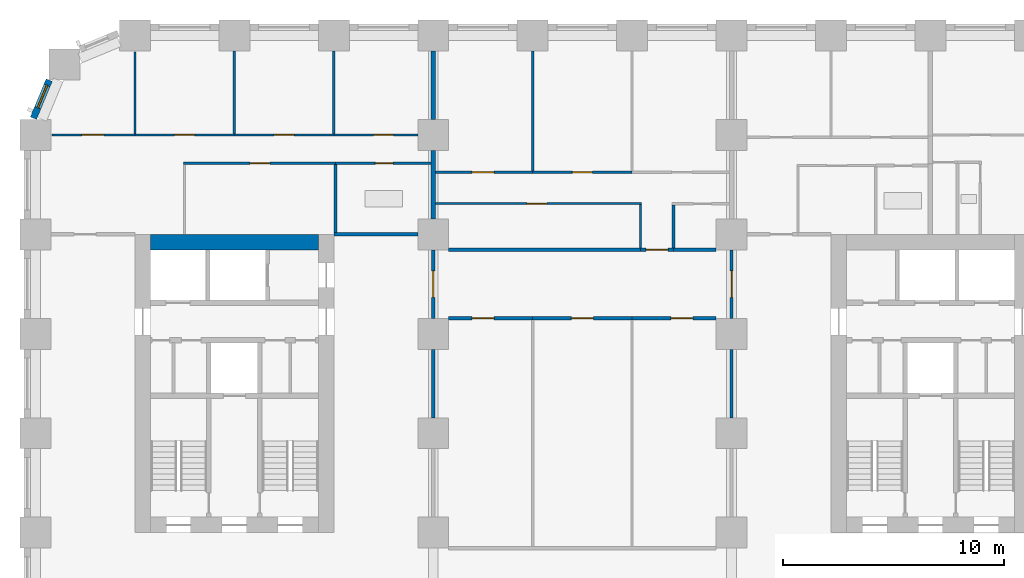
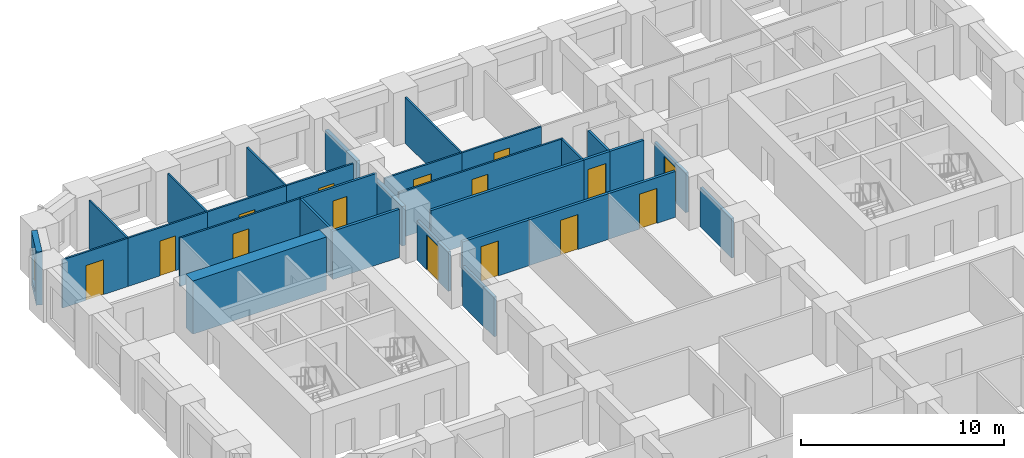
# One storey, part 7 of 13: 31 walls, 15 doors, 1 window, 16 openings.
"""IFC4 building model written with IfcOpenShell, lengths in metres."""

from ifc_helpers import new_model, si_unit, direction, frame, frame_2d, origin, place, context, subcontext, project, spatial, rectangle, extrude, material, layer, layer_set, type_object, element, fill, save


model = new_model("IFC4")

# Units and contexts
model_context = context("Model", 3, precision=1e-05, world=origin(), true_north=direction((0.0, 1.0)))
body_context = subcontext(model_context, "Body", "Model", "MODEL_VIEW")
ifc_project = project(units=[si_unit("LENGTHUNIT", "METRE"), si_unit("AREAUNIT", "SQUARE_METRE"), si_unit("VOLUMEUNIT", "CUBIC_METRE"), si_unit("PLANEANGLEUNIT", "RADIAN"), si_unit("MASSUNIT", "GRAM", prefix="KILO")], contexts=[model_context])

# Site, building, storey
site_placement = place(None, origin())
site = spatial("IfcSite", under=ifc_project, at=site_placement, CompositionType="ELEMENT")
building_placement = place(site_placement, origin())
building = spatial("IfcBuilding", under=site, at=building_placement, Name="Girih Gate Residences", CompositionType="ELEMENT")
storey_placement = place(building_placement, frame((0.0, 0.0, 40.0)))
storey = spatial("IfcBuildingStorey", under=building, at=storey_placement, Name="L09", CompositionType="ELEMENT", Elevation=40.0)

# Walls
ifc_material_1 = material(Name="Gypsum board on steel studs", Category="steel")
ifc_layer_1 = layer(ifc_material_1, 0.14990234375)
ifc_layer_set_1 = layer_set([ifc_layer_1], Name="Compartment wall 150 mm")
wall_type_1 = type_object("IfcWallType", Name="Compartment wall 150 mm", PredefinedType="PARTITIONING", material=ifc_layer_set_1)
wall_1_placement = place(storey_placement, frame((13.5107421875, 40.5, 0.0), z_axis=(0.0, 0.0, 1.0), x_axis=(1.0, 0.0, 0.0)))
element("IfcWall", 1, at=wall_1_placement, inside=storey, type_object=wall_type_1, Name="L09 partition", PredefinedType="PARTITIONING", context=body_context, shape_type="SweptSolid", body=[
    extrude(rectangle(XDim=3.789306640625, YDim=0.14990234375, at=frame_2d((1.89453125, 0.0))), origin(), (0.0, 0.0, 1.0), 2.89990234375),
])
wall_2_placement = place(storey_placement, frame((28.875, 39.800048828125, 0.0), z_axis=(0.0, 0.0, 1.0), x_axis=(1.0, 0.0, 0.0)))
element("IfcWall", 2, at=wall_2_placement, inside=storey, type_object=wall_type_1, Name="L09 partition", PredefinedType="PARTITIONING", context=body_context, shape_type="SweptSolid", body=[
    extrude(rectangle(XDim=1.925048828125, YDim=0.14990234375, at=frame_2d((0.96240234375, 0.0))), origin(), (0.0, 0.0, 1.0), 2.75),
])

# Wall, opening, door
wall_3_placement = place(storey_placement, frame((27.375, 39.800048828125, 0.0), z_axis=(0.0, 0.0, 1.0), x_axis=(1.0, 0.0, 0.0)))
wall_3 = element("IfcWall", 3, at=wall_3_placement, inside=storey, type_object=wall_type_1, Name="L09 partition", PredefinedType="PARTITIONING", context=body_context, shape_type="SweptSolid", body=[
    extrude(rectangle(XDim=1.5, YDim=0.14990234375, at=frame_2d((0.75, 0.0))), origin(), (0.0, 0.0, 1.0), 2.75),
])
opening_1_placement = place(wall_3_placement, frame((0.25, 0.0, 0.0)))
opening_1 = element("IfcOpeningElement", 4, at=opening_1_placement, cuts=wall_3, Name="Opening A09-043", PredefinedType="OPENING", context=body_context, shape_type="SweptSolid", body=[
    extrude(rectangle(XDim=1.0, YDim=2.10009765625, at=frame_2d((0.5, 1.050048828125))), frame((0.0, 0.0849609375, 0.0), z_axis=(0.0, -1.0, 0.0), x_axis=(1.0, 0.0, 0.0)), (0.0, 0.0, 1.0), 0.169921875),
])
ifc_material_2 = material(Name="Timber, fire-rated core", Category="wood")
door_type_1 = type_object("IfcDoorType", Name="Flat entrance door 1000x2100 FD30S", OperationType="NOTDEFINED", PredefinedType="DOOR", material=ifc_material_2)
door_1_placement = place(opening_1_placement, origin())
door_1 = element("IfcDoor", 5, at=door_1_placement, inside=storey, type_object=door_type_1, Name="Door A09-043", OperationType="SINGLE_SWING_RIGHT", OverallHeight=2.10009765625, OverallWidth=1.0, PredefinedType="DOOR", context=body_context, shape_type="SweptSolid", body=[
    extrude(rectangle(XDim=1.0, YDim=2.10009765625, at=frame_2d((0.5, 1.050048828125))), frame((0.0, 0.02490234375, 0.0), z_axis=(0.0, -1.0, 0.0), x_axis=(1.0, 0.0, 0.0)), (0.0, 0.0, 1.0), 0.050048828125),
])
fill(opening_1, door_1)

# Wall
wall_4_placement = place(storey_placement, frame((18.699951171875, 39.800048828125, 0.0), z_axis=(0.0, 0.0, 1.0), x_axis=(1.0, 0.0, 0.0)))
element("IfcWall", 6, at=wall_4_placement, inside=storey, type_object=wall_type_1, Name="L09 partition", PredefinedType="PARTITIONING", context=body_context, shape_type="SweptSolid", body=[
    extrude(rectangle(XDim=8.675048828125, YDim=0.14990234375, at=frame_2d((4.33740234375, 0.0))), origin(), (0.0, 0.0, 1.0), 2.75),
])

# Wall, opening, door
wall_5_placement = place(storey_placement, frame((22.5, 36.699951171875, 0.0), z_axis=(0.0, 0.0, 1.0), x_axis=(-1.0, 0.0, 0.0)))
wall_5 = element("IfcWall", 7, at=wall_5_placement, inside=storey, type_object=wall_type_1, Name="L09 partition", PredefinedType="PARTITIONING", context=body_context, shape_type="SweptSolid", body=[
    extrude(rectangle(XDim=3.800048828125, YDim=0.14990234375, at=frame_2d((1.89990234375, 0.0))), origin(), (0.0, 0.0, 1.0), 2.75),
])
opening_2_placement = place(wall_5_placement, frame((1.75, 0.0, 0.0)))
opening_2 = element("IfcOpeningElement", 8, at=opening_2_placement, cuts=wall_5, Name="Opening A09-044", PredefinedType="OPENING", context=body_context, shape_type="SweptSolid", body=[
    extrude(rectangle(XDim=1.0, YDim=2.10009765625, at=frame_2d((0.5, 1.050048828125))), frame((0.0, 0.0849609375, 0.0), z_axis=(0.0, -1.0, 0.0), x_axis=(1.0, 0.0, 0.0)), (0.0, 0.0, 1.0), 0.169921875),
])
door_type_2 = type_object("IfcDoorType", Name="Amenity room door 1000x2100 FD30S", OperationType="NOTDEFINED", PredefinedType="DOOR", material=ifc_material_2)
door_2_placement = place(opening_2_placement, origin())
door_2 = element("IfcDoor", 9, at=door_2_placement, inside=storey, type_object=door_type_2, Name="Door A09-044", OperationType="SINGLE_SWING_RIGHT", OverallHeight=2.10009765625, OverallWidth=1.0, PredefinedType="DOOR", context=body_context, shape_type="SweptSolid", body=[
    extrude(rectangle(XDim=1.0, YDim=2.10009765625, at=frame_2d((0.5, 1.050048828125))), frame((0.0, 0.02490234375, 0.0), z_axis=(0.0, -1.0, 0.0), x_axis=(1.0, 0.0, 0.0)), (0.0, 0.0, 1.0), 0.050048828125),
])
fill(opening_2, door_2)

wall_6_placement = place(storey_placement, frame((27.0, 36.699951171875, 0.0), z_axis=(0.0, 0.0, 1.0), x_axis=(-1.0, 0.0, 0.0)))
wall_6 = element("IfcWall", 10, at=wall_6_placement, inside=storey, type_object=wall_type_1, Name="L09 partition", PredefinedType="PARTITIONING", context=body_context, shape_type="SweptSolid", body=[
    extrude(rectangle(XDim=4.5, YDim=0.14990234375, at=frame_2d((2.25, 0.0))), origin(), (0.0, 0.0, 1.0), 2.75),
])
opening_3_placement = place(wall_6_placement, frame((1.75, 0.0, 0.0)))
opening_3 = element("IfcOpeningElement", 11, at=opening_3_placement, cuts=wall_6, Name="Opening A09-045", PredefinedType="OPENING", context=body_context, shape_type="SweptSolid", body=[
    extrude(rectangle(XDim=1.0, YDim=2.10009765625, at=frame_2d((0.5, 1.050048828125))), frame((0.0, 0.0849609375, 0.0), z_axis=(0.0, -1.0, 0.0), x_axis=(1.0, 0.0, 0.0)), (0.0, 0.0, 1.0), 0.169921875),
])
door_3_placement = place(opening_3_placement, origin())
door_3 = element("IfcDoor", 12, at=door_3_placement, inside=storey, type_object=door_type_2, Name="Door A09-045", OperationType="SINGLE_SWING_RIGHT", OverallHeight=2.10009765625, OverallWidth=1.0, PredefinedType="DOOR", context=body_context, shape_type="SweptSolid", body=[
    extrude(rectangle(XDim=1.0, YDim=2.10009765625, at=frame_2d((0.5, 1.050048828125))), frame((0.0, 0.02490234375, 0.0), z_axis=(0.0, -1.0, 0.0), x_axis=(1.0, 0.0, 0.0)), (0.0, 0.0, 1.0), 0.050048828125),
])
fill(opening_3, door_3)

wall_7_placement = place(storey_placement, frame((30.800048828125, 36.699951171875, 0.0), z_axis=(0.0, 0.0, 1.0), x_axis=(-1.0, 0.0, 0.0)))
wall_7 = element("IfcWall", 13, at=wall_7_placement, inside=storey, type_object=wall_type_1, Name="L09 partition", PredefinedType="PARTITIONING", context=body_context, shape_type="SweptSolid", body=[
    extrude(rectangle(XDim=3.800048828125, YDim=0.14990234375, at=frame_2d((1.89990234375, 0.0))), origin(), (0.0, 0.0, 1.0), 2.75),
])
opening_4_placement = place(wall_7_placement, frame((1.050048828125, 0.0, 0.0)))
opening_4 = element("IfcOpeningElement", 14, at=opening_4_placement, cuts=wall_7, Name="Opening A09-046", PredefinedType="OPENING", context=body_context, shape_type="SweptSolid", body=[
    extrude(rectangle(XDim=1.0, YDim=2.10009765625, at=frame_2d((0.5, 1.050048828125))), frame((0.0, 0.0849609375, 0.0), z_axis=(0.0, -1.0, 0.0), x_axis=(1.0, 0.0, 0.0)), (0.0, 0.0, 1.0), 0.169921875),
])
door_4_placement = place(opening_4_placement, origin())
door_4 = element("IfcDoor", 15, at=door_4_placement, inside=storey, type_object=door_type_2, Name="Door A09-046", OperationType="SINGLE_SWING_LEFT", OverallHeight=2.10009765625, OverallWidth=1.0, PredefinedType="DOOR", context=body_context, shape_type="SweptSolid", body=[
    extrude(rectangle(XDim=1.0, YDim=2.10009765625, at=frame_2d((0.5, 1.050048828125))), frame((0.0, 0.02490234375, 0.0), z_axis=(0.0, -1.0, 0.0), x_axis=(1.0, 0.0, 0.0)), (0.0, 0.0, 1.0), 0.050048828125),
])
fill(opening_4, door_4)

wall_8_placement = place(storey_placement, frame((31.5, 36.699951171875, 0.0), z_axis=(0.0, 0.0, 1.0), x_axis=(0.0, 1.0, 0.0)))
wall_8 = element("IfcWall", 16, at=wall_8_placement, inside=storey, type_object=wall_type_1, Name="L09 partition", PredefinedType="PARTITIONING", context=body_context, shape_type="SweptSolid", body=[
    extrude(rectangle(XDim=3.10009765625, YDim=0.14990234375, at=frame_2d((1.550048828125, 0.0))), origin(), (0.0, 0.0, 1.0), 2.3798828125),
])
opening_5_placement = place(wall_8_placement, frame((0.949951171875, 0.0, 0.0)))
opening_5 = element("IfcOpeningElement", 17, at=opening_5_placement, cuts=wall_8, Name="Opening A09-047", PredefinedType="OPENING", context=body_context, shape_type="SweptSolid", body=[
    extrude(rectangle(XDim=1.199951171875, YDim=2.10009765625, at=frame_2d((0.60009765625, 1.050048828125))), frame((0.0, 0.0849609375, 0.0), z_axis=(0.0, -1.0, 0.0), x_axis=(1.0, 0.0, 0.0)), (0.0, 0.0, 1.0), 0.169921875),
])
door_type_3 = type_object("IfcDoorType", Name="Corridor fire door 1200x2100 FD30S", OperationType="NOTDEFINED", PredefinedType="DOOR", material=ifc_material_2)
door_5_placement = place(opening_5_placement, origin())
door_5 = element("IfcDoor", 18, at=door_5_placement, inside=storey, type_object=door_type_3, Name="Door A09-047", OperationType="SINGLE_SWING_LEFT", OverallHeight=2.10009765625, OverallWidth=1.199951171875, PredefinedType="DOOR", context=body_context, shape_type="SweptSolid", body=[
    extrude(rectangle(XDim=1.199951171875, YDim=2.10009765625, at=frame_2d((0.60009765625, 1.050048828125))), frame((0.0, 0.02490234375, 0.0), z_axis=(0.0, -1.0, 0.0), x_axis=(1.0, 0.0, 0.0)), (0.0, 0.0, 1.0), 0.050048828125),
])
fill(opening_5, door_5)

wall_9_placement = place(storey_placement, frame((18.0, 39.800048828125, 0.0), z_axis=(0.0, 0.0, 1.0), x_axis=(0.0, -1.0, 0.0)))
wall_9 = element("IfcWall", 19, at=wall_9_placement, inside=storey, type_object=wall_type_1, Name="L09 partition", PredefinedType="PARTITIONING", context=body_context, shape_type="SweptSolid", body=[
    extrude(rectangle(XDim=3.10009765625, YDim=0.14990234375, at=frame_2d((1.550048828125, 0.0))), origin(), (0.0, 0.0, 1.0), 2.3798828125),
])
opening_6_placement = place(wall_9_placement, frame((0.949951171875, 0.0, 0.0)))
opening_6 = element("IfcOpeningElement", 20, at=opening_6_placement, cuts=wall_9, Name="Opening A09-048", PredefinedType="OPENING", context=body_context, shape_type="SweptSolid", body=[
    extrude(rectangle(XDim=1.199951171875, YDim=2.10009765625, at=frame_2d((0.60009765625, 1.050048828125))), frame((0.0, 0.0849609375, 0.0), z_axis=(0.0, -1.0, 0.0), x_axis=(1.0, 0.0, 0.0)), (0.0, 0.0, 1.0), 0.169921875),
])
door_6_placement = place(opening_6_placement, origin())
door_6 = element("IfcDoor", 21, at=door_6_placement, inside=storey, type_object=door_type_3, Name="Door A09-048", OperationType="SINGLE_SWING_LEFT", OverallHeight=2.10009765625, OverallWidth=1.199951171875, PredefinedType="DOOR", context=body_context, shape_type="SweptSolid", body=[
    extrude(rectangle(XDim=1.199951171875, YDim=2.10009765625, at=frame_2d((0.60009765625, 1.050048828125))), frame((0.0, 0.02490234375, 0.0), z_axis=(0.0, -1.0, 0.0), x_axis=(1.0, 0.0, 0.0)), (0.0, 0.0, 1.0), 0.050048828125),
])
fill(opening_6, door_6)

# Walls
for number, where, z_axis, x_axis, name in (
    (22, (18.0, 32.199951171875, 0.0), (0.0, 0.0, 1.0), (0.0, 1.0, 0.0), "L09 partition"),
    (23, (31.5, 32.199951171875, 0.0), (0.0, 0.0, 1.0), (0.0, 1.0, 0.0), "L09 partition"),
):
    element("IfcWall", number, at=place(storey_placement, frame(where, z_axis=z_axis, x_axis=x_axis)), inside=storey, type_object=wall_type_1, Name=name, PredefinedType="PARTITIONING", context=body_context, shape_type="SweptSolid", body=[
        extrude(rectangle(XDim=3.10009765625, YDim=0.14990234375, at=frame_2d((1.550048828125, 0.0))), origin(), (0.0, 0.0, 1.0), 2.3798828125),
    ])
ifc_material_3 = material(Name="Concrete C60/75", Category="concrete")
ifc_layer_2 = layer(ifc_material_3, 0.699951171875)
ifc_layer_set_2 = layer_set([ifc_layer_2], Name="Core wall RC 700 Concrete C60/75")
wall_type_2 = type_object("IfcWallType", Name="Core wall RC 700 Concrete C60/75", PredefinedType="SOLIDWALL", material=ifc_layer_set_2)
wall_10_placement = place(storey_placement, frame((5.199951171875, 40.14990234375, 0.0), z_axis=(0.0, 0.0, 1.0), x_axis=(1.0, 0.0, 0.0)))
element("IfcWall", 24, at=wall_10_placement, inside=storey, type_object=wall_type_2, Name="Core wall W-N L09", PredefinedType="SOLIDWALL", context=body_context, shape_type="SweptSolid", body=[
    extrude(rectangle(XDim=7.60009765625, YDim=0.699951171875, at=frame_2d((3.800048828125, 0.0))), origin(), (0.0, 0.0, 1.0), 3.199951171875),
])
ifc_layer_3 = layer(ifc_material_1, 0.10009765625)
ifc_layer_set_3 = layer_set([ifc_layer_3], Name="Partition 100 mm")
wall_type_3 = type_object("IfcWallType", Name="Partition 100 mm", PredefinedType="PARTITIONING", material=ifc_layer_set_3)
wall_11_placement = place(storey_placement, frame((9.0, 45.050048828125, 0.0), z_axis=(0.0, 0.0, 1.0), x_axis=(0.0, 1.0, 0.0)))
element("IfcWall", 25, at=wall_11_placement, inside=storey, type_object=wall_type_3, Name="L09 partition", PredefinedType="PARTITIONING", context=body_context, shape_type="SweptSolid", body=[
    extrude(rectangle(XDim=3.75, YDim=0.10009765625, at=frame_2d((1.875, 0.0))), origin(), (0.0, 0.0, 1.0), 2.89990234375),
])

# Wall, opening, door
wall_12_placement = place(storey_placement, frame((4.5, 45.0, 0.0), z_axis=(0.0, 0.0, 1.0), x_axis=(1.0, 0.0, 0.0)))
wall_12 = element("IfcWall", 26, at=wall_12_placement, inside=storey, type_object=wall_type_3, Name="L09 partition", PredefinedType="PARTITIONING", context=body_context, shape_type="SweptSolid", body=[
    extrude(rectangle(XDim=4.5, YDim=0.10009765625, at=frame_2d((2.25, 0.0))), origin(), (0.0, 0.0, 1.0), 2.89990234375),
])
opening_7_placement = place(wall_12_placement, frame((1.800048828125, 0.0, 0.0)))
opening_7 = element("IfcOpeningElement", 27, at=opening_7_placement, cuts=wall_12, Name="Opening A09-012", PredefinedType="OPENING", context=body_context, shape_type="SweptSolid", body=[
    extrude(rectangle(XDim=0.89990234375, YDim=2.10009765625, at=frame_2d((0.449951171875, 1.050048828125))), frame((0.0, 0.06005859375, 0.0), z_axis=(0.0, -1.0, 0.0), x_axis=(1.0, 0.0, 0.0)), (0.0, 0.0, 1.0), 0.1201171875),
])
ifc_material_4 = material(Name="Timber", Category="wood")
door_type_4 = type_object("IfcDoorType", Name="Bedroom door 900x2100", OperationType="NOTDEFINED", PredefinedType="DOOR", material=ifc_material_4)
door_7_placement = place(opening_7_placement, origin())
door_7 = element("IfcDoor", 28, at=door_7_placement, inside=storey, type_object=door_type_4, Name="Door A09-012", OperationType="SINGLE_SWING_RIGHT", OverallHeight=2.10009765625, OverallWidth=0.89990234375, PredefinedType="DOOR", context=body_context, shape_type="SweptSolid", body=[
    extrude(rectangle(XDim=0.89990234375, YDim=2.10009765625, at=frame_2d((0.449951171875, 1.050048828125))), frame((0.0, 0.02490234375, 0.0), z_axis=(0.0, -1.0, 0.0), x_axis=(1.0, 0.0, 0.0)), (0.0, 0.0, 1.0), 0.050048828125),
])
fill(opening_7, door_7)

# Walls
wall_13_placement = place(storey_placement, frame((4.5, 45.050048828125, 0.0), z_axis=(0.0, 0.0, 1.0), x_axis=(0.0, 1.0, 0.0)))
element("IfcWall", 29, at=wall_13_placement, inside=storey, type_object=wall_type_3, Name="L09 partition", PredefinedType="PARTITIONING", context=body_context, shape_type="SweptSolid", body=[
    extrude(rectangle(XDim=3.6923828125, YDim=0.10009765625, at=frame_2d((1.84619140625, 0.0))), origin(), (0.0, 0.0, 1.0), 2.89990234375),
])
wall_14_placement = place(storey_placement, frame((13.5, 45.050048828125, 0.0), z_axis=(0.0, 0.0, 1.0), x_axis=(0.0, 1.0, 0.0)))
element("IfcWall", 30, at=wall_14_placement, inside=storey, type_object=wall_type_3, Name="L09 partition", PredefinedType="PARTITIONING", context=body_context, shape_type="SweptSolid", body=[
    extrude(rectangle(XDim=3.75, YDim=0.10009765625, at=frame_2d((1.875, 0.0))), origin(), (0.0, 0.0, 1.0), 2.89990234375),
])

# Wall, opening, door
wall_15_placement = place(storey_placement, frame((9.0, 45.0, 0.0), z_axis=(0.0, 0.0, 1.0), x_axis=(1.0, 0.0, 0.0)))
wall_15 = element("IfcWall", 31, at=wall_15_placement, inside=storey, type_object=wall_type_3, Name="L09 partition", PredefinedType="PARTITIONING", context=body_context, shape_type="SweptSolid", body=[
    extrude(rectangle(XDim=4.5, YDim=0.10009765625, at=frame_2d((2.25, 0.0))), origin(), (0.0, 0.0, 1.0), 2.89990234375),
])
opening_8_placement = place(wall_15_placement, frame((1.800048828125, 0.0, 0.0)))
opening_8 = element("IfcOpeningElement", 32, at=opening_8_placement, cuts=wall_15, Name="Opening A09-013", PredefinedType="OPENING", context=body_context, shape_type="SweptSolid", body=[
    extrude(rectangle(XDim=0.89990234375, YDim=2.10009765625, at=frame_2d((0.449951171875, 1.050048828125))), frame((0.0, 0.06005859375, 0.0), z_axis=(0.0, -1.0, 0.0), x_axis=(1.0, 0.0, 0.0)), (0.0, 0.0, 1.0), 0.1201171875),
])
door_8_placement = place(opening_8_placement, origin())
door_8 = element("IfcDoor", 33, at=door_8_placement, inside=storey, type_object=door_type_4, Name="Door A09-013", OperationType="SINGLE_SWING_LEFT", OverallHeight=2.10009765625, OverallWidth=0.89990234375, PredefinedType="DOOR", context=body_context, shape_type="SweptSolid", body=[
    extrude(rectangle(XDim=0.89990234375, YDim=2.10009765625, at=frame_2d((0.449951171875, 1.050048828125))), frame((0.0, 0.02490234375, 0.0), z_axis=(0.0, -1.0, 0.0), x_axis=(1.0, 0.0, 0.0)), (0.0, 0.0, 1.0), 0.050048828125),
])
fill(opening_8, door_8)

wall_16_placement = place(storey_placement, frame((13.5, 45.0, 0.0), z_axis=(0.0, 0.0, 1.0), x_axis=(1.0, 0.0, 0.0)))
wall_16 = element("IfcWall", 34, at=wall_16_placement, inside=storey, type_object=wall_type_3, Name="L09 partition", PredefinedType="PARTITIONING", context=body_context, shape_type="SweptSolid", body=[
    extrude(rectangle(XDim=3.800048828125, YDim=0.10009765625, at=frame_2d((1.89990234375, 0.0))), origin(), (0.0, 0.0, 1.0), 2.89990234375),
])
opening_9_placement = place(wall_16_placement, frame((1.800048828125, 0.0, 0.0)))
opening_9 = element("IfcOpeningElement", 35, at=opening_9_placement, cuts=wall_16, Name="Opening A09-014", PredefinedType="OPENING", context=body_context, shape_type="SweptSolid", body=[
    extrude(rectangle(XDim=0.89990234375, YDim=2.10009765625, at=frame_2d((0.449951171875, 1.050048828125))), frame((0.0, 0.06005859375, 0.0), z_axis=(0.0, -1.0, 0.0), x_axis=(1.0, 0.0, 0.0)), (0.0, 0.0, 1.0), 0.1201171875),
])
door_9_placement = place(opening_9_placement, origin())
door_9 = element("IfcDoor", 36, at=door_9_placement, inside=storey, type_object=door_type_4, Name="Door A09-014", OperationType="SINGLE_SWING_RIGHT", OverallHeight=2.10009765625, OverallWidth=0.89990234375, PredefinedType="DOOR", context=body_context, shape_type="SweptSolid", body=[
    extrude(rectangle(XDim=0.89990234375, YDim=2.10009765625, at=frame_2d((0.449951171875, 1.050048828125))), frame((0.0, 0.02490234375, 0.0), z_axis=(0.0, -1.0, 0.0), x_axis=(1.0, 0.0, 0.0)), (0.0, 0.0, 1.0), 0.050048828125),
])
fill(opening_9, door_9)

wall_17_placement = place(storey_placement, frame((13.5732421875, 43.719970703125, 0.0), z_axis=(0.0, 0.0, 1.0), x_axis=(-1.0, 0.0, 0.0)))
wall_17 = element("IfcWall", 37, at=wall_17_placement, inside=storey, type_object=wall_type_3, Name="L09 partition", PredefinedType="PARTITIONING", context=body_context, shape_type="SweptSolid", body=[
    extrude(rectangle(XDim=6.873291015625, YDim=0.10009765625, at=frame_2d((3.4365234375, 0.0))), origin(), (0.0, 0.0, 1.0), 2.89990234375),
])
opening_10_placement = place(wall_17_placement, frame((2.961669921875, 0.0, 0.0)))
opening_10 = element("IfcOpeningElement", 38, at=opening_10_placement, cuts=wall_17, Name="Opening A09-015", PredefinedType="OPENING", context=body_context, shape_type="SweptSolid", body=[
    extrude(rectangle(XDim=0.89990234375, YDim=2.10009765625, at=frame_2d((0.449951171875, 1.050048828125))), frame((0.0, 0.06005859375, 0.0), z_axis=(0.0, -1.0, 0.0), x_axis=(1.0, 0.0, 0.0)), (0.0, 0.0, 1.0), 0.1201171875),
])
door_type_5 = type_object("IfcDoorType", Name="Kitchen door 900x2100", OperationType="NOTDEFINED", PredefinedType="DOOR", material=ifc_material_4)
door_10_placement = place(opening_10_placement, origin())
door_10 = element("IfcDoor", 39, at=door_10_placement, inside=storey, type_object=door_type_5, Name="Door A09-015", OperationType="SINGLE_SWING_LEFT", OverallHeight=2.10009765625, OverallWidth=0.89990234375, PredefinedType="DOOR", context=body_context, shape_type="SweptSolid", body=[
    extrude(rectangle(XDim=0.89990234375, YDim=2.10009765625, at=frame_2d((0.449951171875, 1.050048828125))), frame((0.0, 0.02490234375, 0.0), z_axis=(0.0, -1.0, 0.0), x_axis=(1.0, 0.0, 0.0)), (0.0, 0.0, 1.0), 0.050048828125),
])
fill(opening_10, door_10)

wall_18_placement = place(storey_placement, frame((0.757568359375, 45.0, 0.0), z_axis=(0.0, 0.0, 1.0), x_axis=(1.0, 0.0, 0.0)))
wall_18 = element("IfcWall", 40, at=wall_18_placement, inside=storey, type_object=wall_type_3, Name="L09 partition", PredefinedType="PARTITIONING", context=body_context, shape_type="SweptSolid", body=[
    extrude(rectangle(XDim=3.742431640625, YDim=0.10009765625, at=frame_2d((1.87109375, 0.0))), origin(), (0.0, 0.0, 1.0), 2.89990234375),
])
opening_11_placement = place(wall_18_placement, frame((1.34228515625, 0.0, 0.0)))
opening_11 = element("IfcOpeningElement", 41, at=opening_11_placement, cuts=wall_18, Name="Opening A09-016", PredefinedType="OPENING", context=body_context, shape_type="SweptSolid", body=[
    extrude(rectangle(XDim=1.0, YDim=2.10009765625, at=frame_2d((0.5, 1.050048828125))), frame((0.0, 0.06005859375, 0.0), z_axis=(0.0, -1.0, 0.0), x_axis=(1.0, 0.0, 0.0)), (0.0, 0.0, 1.0), 0.1201171875),
])
door_type_6 = type_object("IfcDoorType", Name="Living room door 1000x2100", OperationType="NOTDEFINED", PredefinedType="DOOR", material=ifc_material_4)
door_11_placement = place(opening_11_placement, origin())
door_11 = element("IfcDoor", 42, at=door_11_placement, inside=storey, type_object=door_type_6, Name="Door A09-016", OperationType="SINGLE_SWING_LEFT", OverallHeight=2.10009765625, OverallWidth=1.0, PredefinedType="DOOR", context=body_context, shape_type="SweptSolid", body=[
    extrude(rectangle(XDim=1.0, YDim=2.10009765625, at=frame_2d((0.5, 1.050048828125))), frame((0.0, 0.02490234375, 0.0), z_axis=(0.0, -1.0, 0.0), x_axis=(1.0, 0.0, 0.0)), (0.0, 0.0, 1.0), 0.050048828125),
])
fill(opening_11, door_11)

wall_19_placement = place(storey_placement, frame((22.5, 43.31005859375, 0.0), z_axis=(0.0, 0.0, 1.0), x_axis=(1.0, 0.0, 0.0)))
wall_19 = element("IfcWall", 43, at=wall_19_placement, inside=storey, type_object=wall_type_3, Name="L09 partition", PredefinedType="PARTITIONING", context=body_context, shape_type="SweptSolid", body=[
    extrude(rectangle(XDim=4.5, YDim=0.10009765625, at=frame_2d((2.25, 0.0))), origin(), (0.0, 0.0, 1.0), 2.75),
])
opening_12_placement = place(wall_19_placement, frame((1.800048828125, 0.0, 0.0)))
opening_12 = element("IfcOpeningElement", 44, at=opening_12_placement, cuts=wall_19, Name="Opening A09-039", PredefinedType="OPENING", context=body_context, shape_type="SweptSolid", body=[
    extrude(rectangle(XDim=0.89990234375, YDim=2.10009765625, at=frame_2d((0.449951171875, 1.050048828125))), frame((0.0, 0.06005859375, 0.0), z_axis=(0.0, -1.0, 0.0), x_axis=(1.0, 0.0, 0.0)), (0.0, 0.0, 1.0), 0.1201171875),
])
door_12_placement = place(opening_12_placement, origin())
door_12 = element("IfcDoor", 45, at=door_12_placement, inside=storey, type_object=door_type_4, Name="Door A09-039", OperationType="SINGLE_SWING_LEFT", OverallHeight=2.10009765625, OverallWidth=0.89990234375, PredefinedType="DOOR", context=body_context, shape_type="SweptSolid", body=[
    extrude(rectangle(XDim=0.89990234375, YDim=2.10009765625, at=frame_2d((0.449951171875, 1.050048828125))), frame((0.0, 0.02490234375, 0.0), z_axis=(0.0, -1.0, 0.0), x_axis=(1.0, 0.0, 0.0)), (0.0, 0.0, 1.0), 0.050048828125),
])
fill(opening_12, door_12)

# Walls
wall_20_placement = place(storey_placement, frame((22.5, 43.360107421875, 0.0), z_axis=(0.0, 0.0, 1.0), x_axis=(0.0, 1.0, 0.0)))
element("IfcWall", 46, at=wall_20_placement, inside=storey, type_object=wall_type_3, Name="L09 partition", PredefinedType="PARTITIONING", context=body_context, shape_type="SweptSolid", body=[
    extrude(rectangle(XDim=5.43994140625, YDim=0.10009765625, at=frame_2d((2.719970703125, 0.0))), origin(), (0.0, 0.0, 1.0), 2.75),
])
wall_21_placement = place(storey_placement, frame((27.375, 39.875, 0.0), z_axis=(0.0, 0.0, 1.0), x_axis=(0.0, 1.0, 0.0)))
element("IfcWall", 47, at=wall_21_placement, inside=storey, type_object=wall_type_3, Name="L09 partition", PredefinedType="PARTITIONING", context=body_context, shape_type="SweptSolid", body=[
    extrude(rectangle(XDim=1.965087890625, YDim=0.10009765625, at=frame_2d((0.982421875, 0.0))), origin(), (0.0, 0.0, 1.0), 2.75),
])

# Wall, opening, door
wall_22_placement = place(storey_placement, frame((27.425048828125, 41.889892578125, 0.0), z_axis=(0.0, 0.0, 1.0), x_axis=(-1.0, 0.0, 0.0)))
wall_22 = element("IfcWall", 48, at=wall_22_placement, inside=storey, type_object=wall_type_3, Name="L09 partition", PredefinedType="PARTITIONING", context=body_context, shape_type="SweptSolid", body=[
    extrude(rectangle(XDim=9.324951171875, YDim=0.10009765625, at=frame_2d((4.66259765625, 0.0))), origin(), (0.0, 0.0, 1.0), 2.75),
])
opening_13_placement = place(wall_22_placement, frame((4.28759765625, 0.0, 0.0)))
opening_13 = element("IfcOpeningElement", 49, at=opening_13_placement, cuts=wall_22, Name="Opening A09-041", PredefinedType="OPENING", context=body_context, shape_type="SweptSolid", body=[
    extrude(rectangle(XDim=0.89990234375, YDim=2.10009765625, at=frame_2d((0.449951171875, 1.050048828125))), frame((0.0, 0.06005859375, 0.0), z_axis=(0.0, -1.0, 0.0), x_axis=(1.0, 0.0, 0.0)), (0.0, 0.0, 1.0), 0.1201171875),
])
door_13_placement = place(opening_13_placement, origin())
door_13 = element("IfcDoor", 50, at=door_13_placement, inside=storey, type_object=door_type_5, Name="Door A09-041", OperationType="SINGLE_SWING_RIGHT", OverallHeight=2.10009765625, OverallWidth=0.89990234375, PredefinedType="DOOR", context=body_context, shape_type="SweptSolid", body=[
    extrude(rectangle(XDim=0.89990234375, YDim=2.10009765625, at=frame_2d((0.449951171875, 1.050048828125))), frame((0.0, 0.02490234375, 0.0), z_axis=(0.0, -1.0, 0.0), x_axis=(1.0, 0.0, 0.0)), (0.0, 0.0, 1.0), 0.050048828125),
])
fill(opening_13, door_13)

wall_23_placement = place(storey_placement, frame((18.10009765625, 43.31005859375, 0.0), z_axis=(0.0, 0.0, 1.0), x_axis=(1.0, 0.0, 0.0)))
wall_23 = element("IfcWall", 51, at=wall_23_placement, inside=storey, type_object=wall_type_3, Name="L09 partition", PredefinedType="PARTITIONING", context=body_context, shape_type="SweptSolid", body=[
    extrude(rectangle(XDim=4.39990234375, YDim=0.10009765625, at=frame_2d((2.199951171875, 0.0))), origin(), (0.0, 0.0, 1.0), 2.75),
])
opening_14_placement = place(wall_23_placement, frame((1.64990234375, 0.0, 0.0)))
opening_14 = element("IfcOpeningElement", 52, at=opening_14_placement, cuts=wall_23, Name="Opening A09-042", PredefinedType="OPENING", context=body_context, shape_type="SweptSolid", body=[
    extrude(rectangle(XDim=1.0, YDim=2.10009765625, at=frame_2d((0.5, 1.050048828125))), frame((0.0, 0.06005859375, 0.0), z_axis=(0.0, -1.0, 0.0), x_axis=(1.0, 0.0, 0.0)), (0.0, 0.0, 1.0), 0.1201171875),
])
door_14_placement = place(opening_14_placement, origin())
door_14 = element("IfcDoor", 53, at=door_14_placement, inside=storey, type_object=door_type_6, Name="Door A09-042", OperationType="SINGLE_SWING_LEFT", OverallHeight=2.10009765625, OverallWidth=1.0, PredefinedType="DOOR", context=body_context, shape_type="SweptSolid", body=[
    extrude(rectangle(XDim=1.0, YDim=2.10009765625, at=frame_2d((0.5, 1.050048828125))), frame((0.0, 0.02490234375, 0.0), z_axis=(0.0, -1.0, 0.0), x_axis=(1.0, 0.0, 0.0)), (0.0, 0.0, 1.0), 0.050048828125),
])
fill(opening_14, door_14)

# Walls
ifc_layer_4 = layer(ifc_material_1, 0.199951171875)
ifc_layer_set_4 = layer_set([ifc_layer_4], Name="Party wall 200 mm")
wall_type_4 = type_object("IfcWallType", Name="Party wall 200 mm", PredefinedType="PARTITIONING", material=ifc_layer_set_4)
for number, where, z_axis, x_axis, name in (
    (54, (18.0, 41.199951171875, 0.0), (0.0, 0.0, 1.0), (0.0, 1.0, 0.0), "L09 partition"),
    (55, (18.0, 45.699951171875, 0.0), (0.0, 0.0, 1.0), (0.0, 1.0, 0.0), "L09 partition"),
):
    element("IfcWall", number, at=place(storey_placement, frame(where, z_axis=z_axis, x_axis=x_axis)), inside=storey, type_object=wall_type_4, Name=name, PredefinedType="PARTITIONING", context=body_context, shape_type="SweptSolid", body=[
        extrude(rectangle(XDim=3.10009765625, YDim=0.199951171875, at=frame_2d((1.550048828125, 0.0))), origin(), (0.0, 0.0, 1.0), 2.3798828125),
    ])

# Wall, opening, window
ifc_material_5 = material(Name="Precast concrete C50/60", Category="concrete")
ifc_layer_5 = layer(ifc_material_5, 0.080078125, Name="Outer leaf")
ifc_material_6 = material(Name="Rigid PIR insulation")
ifc_layer_6 = layer(ifc_material_6, 0.14990234375, Name="Insulation")
ifc_material_7 = material(Name="Precast concrete C40/50", Category="concrete")
ifc_layer_7 = layer(ifc_material_7, 0.070068359375, Name="Inner leaf")
ifc_layer_set_5 = layer_set([ifc_layer_5, ifc_layer_6, ifc_layer_7], Name="Precast concrete C50/60 external wall 300")
wall_type_5 = type_object("IfcWallType", Name="Precast concrete C50/60 external wall 300", PredefinedType="SOLIDWALL", material=ifc_layer_set_5)
wall_24_placement = place(storey_placement, frame((-0.09228515625, 45.75732421875, 0.0), z_axis=(0.0, 0.0, 1.0), x_axis=(0.382737135771, 0.923857286003, 0.0)))
wall_24 = element("IfcWall", 56, at=wall_24_placement, inside=storey, type_object=wall_type_5, Name="External wall NW0013_0482.0", PredefinedType="SOLIDWALL", context=body_context, shape_type="SweptSolid", body=[
    extrude(rectangle(XDim=1.865234375, YDim=0.300048828125, at=frame_2d((0.9326171875, 0.0))), origin(), (0.0, 0.0, 1.0), 3.199951171875),
])
opening_15_placement = place(wall_24_placement, frame((0.507568359375, 0.0, 0.449951171875)))
opening_15 = element("IfcOpeningElement", 57, at=opening_15_placement, cuts=wall_24, Name="Opening W-2C", PredefinedType="OPENING", context=body_context, shape_type="SweptSolid", body=[
    extrude(rectangle(XDim=1.10009765625, YDim=1.949951171875, at=frame_2d((0.550048828125, 0.97509765625))), frame((0.0, 0.159912109375, 0.0), z_axis=(0.0, -1.0, 0.0), x_axis=(1.0, 0.0, 0.0)), (0.0, 0.0, 1.0), 0.320068359375),
])
ifc_material_8 = material(Name="Double glazing in aluminium frame", Category="aluminium")
window_type = type_object("IfcWindowType", Name="Window W-2C 1100x1950", PartitioningType="SINGLE_PANEL", PredefinedType="WINDOW", material=ifc_material_8)
window_placement = place(opening_15_placement, origin())
window = element("IfcWindow", 58, at=window_placement, inside=storey, type_object=window_type, Name="Window W-2C NW0013_0482.0", OverallHeight=1.949951171875, OverallWidth=1.10009765625, PartitioningType="SINGLE_PANEL", PredefinedType="WINDOW", context=body_context, shape_type="SweptSolid", body=[
    extrude(rectangle(XDim=1.10009765625, YDim=1.949951171875, at=frame_2d((0.550048828125, 0.97509765625))), frame((0.0, 0.030029296875, 0.0), z_axis=(0.0, -1.0, 0.0), x_axis=(1.0, 0.0, 0.0)), (0.0, 0.0, 1.0), 0.06005859375),
])
fill(opening_15, window)

# Wall, opening, door
ifc_layer_8 = layer(ifc_material_1, 0.125)
ifc_layer_set_6 = layer_set([ifc_layer_8], Name="Wet room wall 125 mm")
wall_type_6 = type_object("IfcWallType", Name="Wet room wall 125 mm", PredefinedType="PARTITIONING", material=ifc_layer_set_6)
wall_25_placement = place(storey_placement, frame((17.89990234375, 43.719970703125, 0.0), z_axis=(0.0, 0.0, 1.0), x_axis=(-1.0, 0.0, 0.0)))
wall_25 = element("IfcWall", 59, at=wall_25_placement, inside=storey, type_object=wall_type_6, Name="L09 partition", PredefinedType="PARTITIONING", context=body_context, shape_type="SweptSolid", body=[
    extrude(rectangle(XDim=4.32666015625, YDim=0.125, at=frame_2d((2.163330078125, 0.0))), origin(), (0.0, 0.0, 1.0), 2.89990234375),
])
opening_16_placement = place(wall_25_placement, frame((1.71337890625, 0.0, 0.0)))
opening_16 = element("IfcOpeningElement", 60, at=opening_16_placement, cuts=wall_25, Name="Opening A09-011", PredefinedType="OPENING", context=body_context, shape_type="SweptSolid", body=[
    extrude(rectangle(XDim=0.800048828125, YDim=2.10009765625, at=frame_2d((0.39990234375, 1.050048828125))), frame((0.0, 0.072509765625, 0.0), z_axis=(0.0, -1.0, 0.0), x_axis=(1.0, 0.0, 0.0)), (0.0, 0.0, 1.0), 0.14501953125),
])
door_type_7 = type_object("IfcDoorType", Name="Bathroom door 800x2100", OperationType="NOTDEFINED", PredefinedType="DOOR", material=ifc_material_4)
door_15_placement = place(opening_16_placement, origin())
door_15 = element("IfcDoor", 61, at=door_15_placement, inside=storey, type_object=door_type_7, Name="Door A09-011", OperationType="SINGLE_SWING_LEFT", OverallHeight=2.10009765625, OverallWidth=0.800048828125, PredefinedType="DOOR", context=body_context, shape_type="SweptSolid", body=[
    extrude(rectangle(XDim=0.800048828125, YDim=2.10009765625, at=frame_2d((0.39990234375, 1.050048828125))), frame((0.0, 0.02490234375, 0.0), z_axis=(0.0, -1.0, 0.0), x_axis=(1.0, 0.0, 0.0)), (0.0, 0.0, 1.0), 0.050048828125),
])
fill(opening_16, door_15)

# Walls
wall_26_placement = place(storey_placement, frame((13.572998046875, 40.574951171875, 0.0), z_axis=(0.0, 0.0, 1.0), x_axis=(0.0, 1.0, 0.0)))
element("IfcWall", 62, at=wall_26_placement, inside=storey, type_object=wall_type_6, Name="L09 partition", PredefinedType="PARTITIONING", context=body_context, shape_type="SweptSolid", body=[
    extrude(rectangle(XDim=3.08251953125, YDim=0.125, at=frame_2d((1.541259765625, 0.0))), origin(), (0.0, 0.0, 1.0), 2.89990234375),
])
wall_27_placement = place(storey_placement, frame((28.875, 39.875, 0.0), z_axis=(0.0, 0.0, 1.0), x_axis=(0.0, 1.0, 0.0)))
element("IfcWall", 63, at=wall_27_placement, inside=storey, type_object=wall_type_6, Name="L09 partition", PredefinedType="PARTITIONING", context=body_context, shape_type="SweptSolid", body=[
    extrude(rectangle(XDim=1.952392578125, YDim=0.125, at=frame_2d((0.97607421875, 0.0))), origin(), (0.0, 0.0, 1.0), 2.75),
])

save(model, "model.ifc")
